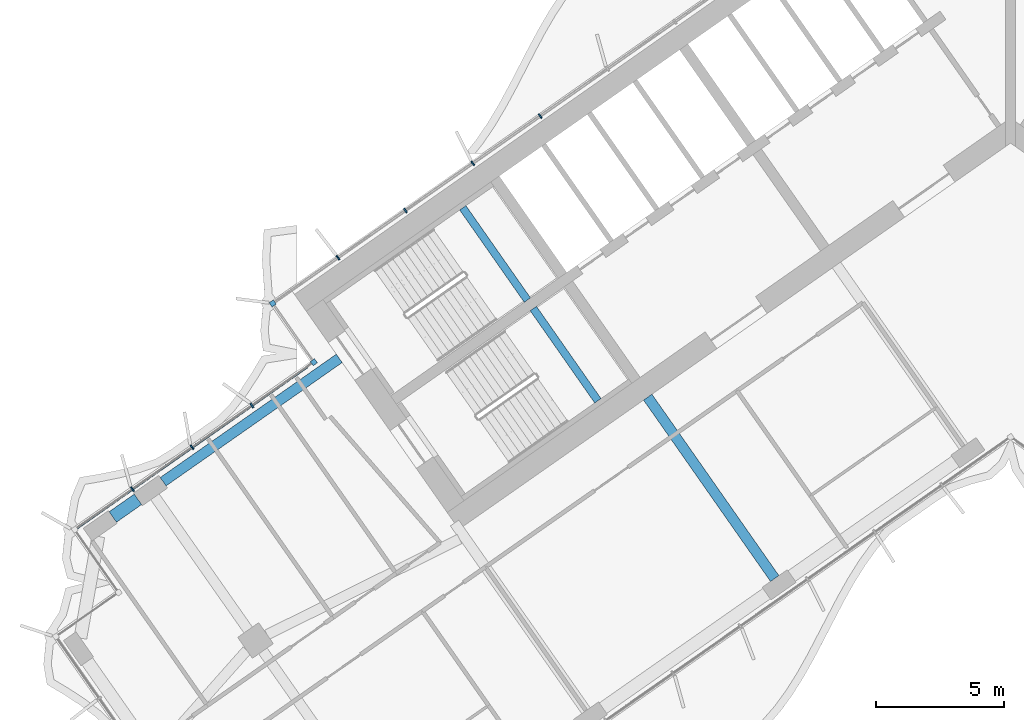
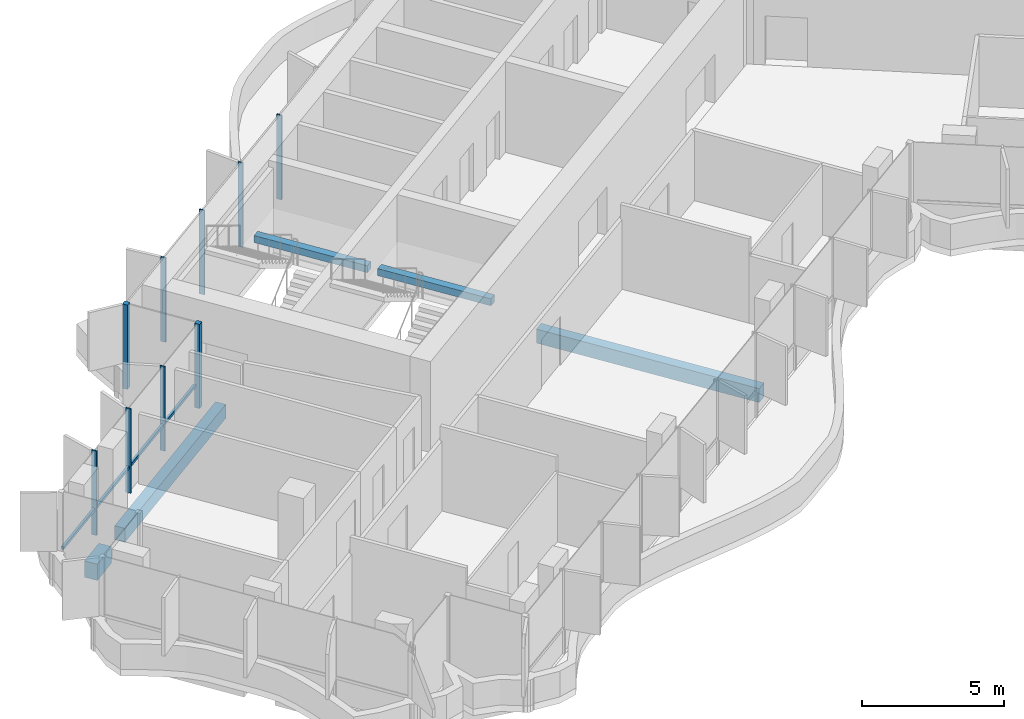
# One storey, part 4 of 23: 10 members, 5 beams, 2 elements without a shape of their own.
"""IFC4 building model written with IfcOpenShell, lengths in metres."""

from ifc_helpers import new_model, si_unit, direction, frame, origin, origin_2d, place, context, subcontext, project, spatial, rectangle, extrude, material, material_profile, profile_set, type_object, element, aggregate, save


model = new_model("IFC4")

# Units and contexts
model_context = context("Model", 3, precision=1e-05, world=origin(), true_north=direction((0.0, 1.0)))
body_context = subcontext(model_context, "Body", "Model", "MODEL_VIEW")
ifc_project = project(units=[si_unit("LENGTHUNIT", "METRE"), si_unit("AREAUNIT", "SQUARE_METRE"), si_unit("VOLUMEUNIT", "CUBIC_METRE"), si_unit("PLANEANGLEUNIT", "RADIAN"), si_unit("MASSUNIT", "GRAM", prefix="KILO")], contexts=[model_context])

# Site, building, storey
site_placement = place(None, origin())
site = spatial("IfcSite", under=ifc_project, at=site_placement, CompositionType="ELEMENT")
building_placement = place(site_placement, origin())
building = spatial("IfcBuilding", under=site, at=building_placement, Name="Tel Ilan Convention Tower", CompositionType="ELEMENT")
storey_placement = place(building_placement, frame((0.0, 0.0, 174.89990234375)))
storey = spatial("IfcBuildingStorey", under=building, at=storey_placement, Name="L40", CompositionType="ELEMENT", Elevation=174.89990234375)

# Beams
ifc_material_1 = material(Name="Concrete C40/50", Category="concrete")
ifc_material_profile_1 = material_profile(ifc_material_1, rectangle(XDim=0.39990234375, YDim=0.60009765625, at=origin_2d()), Name="RC 400x600")
ifc_profile_set_1 = profile_set([ifc_material_profile_1], Name="Concrete C40/50")
beam_type_1 = type_object("IfcBeamType", Name="Beam RC 400x600 Concrete C40/50", PredefinedType="BEAM", material=ifc_profile_set_1)
beam_1_placement = place(storey_placement, frame((-33.09912109375, -14.44775390625, -0.579833984375), z_axis=(0.819147254605, 0.573583276668, 0.0), x_axis=(-0.573583276668, 0.819147254605, 0.0)))
element("IfcBeam", 1, at=beam_1_placement, inside=storey, type_object=beam_type_1, Name="L40 beam W-W-B4-core", PredefinedType="BEAM", context=body_context, shape_type="SweptSolid", body=[
    extrude(rectangle(XDim=0.39990234375, YDim=0.60009765625, at=origin_2d()), origin(), (0.0, 0.0, 1.0), 8.400146484375),
])
beam_2_placement = place(storey_placement, frame((-9.209716796875, -18.229248046875, -0.579833984375), z_axis=(-0.573574099654, 0.819153680457, 0.0), x_axis=(-0.819153680457, -0.573574099654, 0.0)))
element("IfcBeam", 2, at=beam_2_placement, inside=storey, type_object=beam_type_1, Name="L40 beam W-W-F2-core", PredefinedType="BEAM", context=body_context, shape_type="SweptSolid", body=[
    extrude(rectangle(XDim=0.39990234375, YDim=0.60009765625, at=origin_2d()), origin(), (0.0, 0.0, 1.0), 8.64990234375),
])
ifc_material_2 = material(Name="Concrete C40/50", Category="concrete")
ifc_material_profile_2 = material_profile(ifc_material_2, rectangle(XDim=0.5, YDim=0.699951171875, at=origin_2d()), Name="RC 500x700")
ifc_profile_set_2 = profile_set([ifc_material_profile_2], Name="Concrete C40/50")
beam_type_2 = type_object("IfcBeamType", Name="Beam RC 500x700 Concrete C40/50", PredefinedType="BEAM", material=ifc_profile_set_2)
beam_3_placement = place(storey_placement, frame((-35.06494140625, -15.82421875, -0.6298828125), z_axis=(0.819155442668, 0.573571582932, 0.0), x_axis=(-0.573571582932, 0.819155442668, 0.0)))
element("IfcBeam", 3, at=beam_3_placement, inside=storey, type_object=beam_type_2, Name="L40 beam W-W-BC-W-B4", PredefinedType="BEAM", context=body_context, shape_type="SweptSolid", body=[
    extrude(rectangle(XDim=0.5, YDim=0.699951171875, at=origin_2d()), origin(), (0.0, 0.0, 1.0), 1.199951171875),
])

# Curtain wall, members
ifc_material_3 = material(Name="Aluminium, bronze anodised", Category="aluminium")
curtain_wall_type_1 = type_object("IfcCurtainWallType", Name="CW2 STICK CURTAIN WALL, SPANDREL PANELS", PredefinedType="NOTDEFINED", material=ifc_material_3)
curtain_wall_1_placement = place(storey_placement, origin())
curtain_wall_1 = element("IfcCurtainWall", 4, at=curtain_wall_1_placement, inside=storey, type_object=curtain_wall_type_1, Name="Curtain wall CW2-31.01", PredefinedType="NOTDEFINED")
ifc_material_4 = material(Name="Aluminium, bronze anodised", Category="aluminium")
ifc_material_profile_3 = material_profile(ifc_material_4, rectangle(XDim=0.199951171875, YDim=0.199951171875, at=origin_2d()), Name="CW CORNER MULLION 200x200")
ifc_profile_set_3 = profile_set([ifc_material_profile_3], Name="Aluminium, bronze anodised")
member_type_1 = type_object("IfcMemberType", Name="CW CORNER MULLION 200x200", PredefinedType="MULLION", material=ifc_profile_set_3)
member_1_placement = place(storey_placement, frame((-28.819580078125, -7.483642578125, 0.0), z_axis=(0.0, 0.0, 1.0), x_axis=(-0.819152044289, -0.573576436351, 0.0)))
member_1 = element("IfcMember", 5, at=member_1_placement, type_object=member_type_1, Name="Corner mullion", PredefinedType="MULLION", context=body_context, shape_type="SweptSolid", body=[
    extrude(rectangle(XDim=0.199951171875, YDim=0.199951171875, at=origin_2d()), origin(), (0.0, 0.0, 1.0), 3.6201171875),
])
member_2_placement = place(storey_placement, frame((-27.213623046875, -9.77734375, 0.0), z_axis=(0.0, 0.0, 1.0), x_axis=(0.573576436351, -0.819152044289, 0.0)))
member_2 = element("IfcMember", 6, at=member_2_placement, type_object=member_type_1, Name="Corner mullion", PredefinedType="MULLION", context=body_context, shape_type="SweptSolid", body=[
    extrude(rectangle(XDim=0.199951171875, YDim=0.199951171875, at=origin_2d()), origin(), (0.0, 0.0, 1.0), 3.6201171875),
])
ifc_material_5 = material(Name="Aluminium, bronze anodised", Category="aluminium")
ifc_material_profile_4 = material_profile(ifc_material_5, rectangle(XDim=0.06005859375, YDim=0.199951171875, at=origin_2d()), Name="CW MULLION 60x200")
ifc_profile_set_4 = profile_set([ifc_material_profile_4], Name="Aluminium, bronze anodised")
member_type_2 = type_object("IfcMemberType", Name="CW MULLION 60x200", PredefinedType="MULLION", material=ifc_profile_set_4)
member_3_placement = place(storey_placement, frame((-18.37109375, -0.16748046875, 0.0), z_axis=(0.0, 0.0, 1.0), x_axis=(-0.819152044289, -0.573576436351, 0.0)))
member_3 = element("IfcMember", 7, at=member_3_placement, type_object=member_type_2, Name="Mullion", PredefinedType="MULLION", context=body_context, shape_type="SweptSolid", body=[
    extrude(rectangle(XDim=0.06005859375, YDim=0.199951171875, at=origin_2d()), origin(), (0.0, 0.0, 1.0), 3.6201171875),
])
member_4_placement = place(storey_placement, frame((-21.003662109375, -2.0107421875, 0.0), z_axis=(0.0, 0.0, 1.0), x_axis=(-0.819152044289, -0.573576436351, 0.0)))
member_4 = element("IfcMember", 8, at=member_4_placement, type_object=member_type_2, Name="Mullion", PredefinedType="MULLION", context=body_context, shape_type="SweptSolid", body=[
    extrude(rectangle(XDim=0.06005859375, YDim=0.199951171875, at=origin_2d()), origin(), (0.0, 0.0, 1.0), 3.6201171875),
])
member_5_placement = place(storey_placement, frame((-23.63623046875, -3.854248046875, 0.0), z_axis=(0.0, 0.0, 1.0), x_axis=(-0.819152044289, -0.573576436351, 0.0)))
member_5 = element("IfcMember", 9, at=member_5_placement, type_object=member_type_2, Name="Mullion", PredefinedType="MULLION", context=body_context, shape_type="SweptSolid", body=[
    extrude(rectangle(XDim=0.06005859375, YDim=0.199951171875, at=origin_2d()), origin(), (0.0, 0.0, 1.0), 3.6201171875),
])
member_6_placement = place(storey_placement, frame((-26.268798828125, -5.697509765625, 0.0), z_axis=(0.0, 0.0, 1.0), x_axis=(-0.819152044289, -0.573576436351, 0.0)))
member_6 = element("IfcMember", 10, at=member_6_placement, type_object=member_type_2, Name="Mullion", PredefinedType="MULLION", context=body_context, shape_type="SweptSolid", body=[
    extrude(rectangle(XDim=0.06005859375, YDim=0.199951171875, at=origin_2d()), origin(), (0.0, 0.0, 1.0), 3.6201171875),
])
aggregate(curtain_wall_1, [member_3, member_4, member_5, member_6, member_1, member_2])

ifc_material_6 = material(Name="Aluminium, bronze anodised", Category="aluminium")
curtain_wall_type_2 = type_object("IfcCurtainWallType", Name="CW4 STICK CURTAIN WALL, OFFICE TINTED GLASS", PredefinedType="NOTDEFINED", material=ifc_material_6)
curtain_wall_2_placement = place(storey_placement, origin())
curtain_wall_2 = element("IfcCurtainWall", 11, at=curtain_wall_2_placement, inside=storey, type_object=curtain_wall_type_2, Name="Curtain wall CW4-31.02", PredefinedType="NOTDEFINED")
member_7_placement = place(storey_placement, frame((-29.630126953125, -11.46923828125, 0.0), z_axis=(0.0, 0.0, 1.0), x_axis=(-0.819152044289, -0.573576436351, 0.0)))
member_7 = element("IfcMember", 12, at=member_7_placement, type_object=member_type_2, Name="Mullion", PredefinedType="MULLION", context=body_context, shape_type="SweptSolid", body=[
    extrude(rectangle(XDim=0.06005859375, YDim=0.199951171875, at=origin_2d()), origin(), (0.0, 0.0, 1.0), 3.6201171875),
])
member_8_placement = place(storey_placement, frame((-31.964599609375, -13.10400390625, 0.0), z_axis=(0.0, 0.0, 1.0), x_axis=(-0.819152044289, -0.573576436351, 0.0)))
member_8 = element("IfcMember", 13, at=member_8_placement, type_object=member_type_2, Name="Mullion", PredefinedType="MULLION", context=body_context, shape_type="SweptSolid", body=[
    extrude(rectangle(XDim=0.06005859375, YDim=0.199951171875, at=origin_2d()), origin(), (0.0, 0.0, 1.0), 3.6201171875),
])
member_9_placement = place(storey_placement, frame((-34.299072265625, -14.73876953125, 0.0), z_axis=(0.0, 0.0, 1.0), x_axis=(-0.819152044289, -0.573576436351, 0.0)))
member_9 = element("IfcMember", 14, at=member_9_placement, type_object=member_type_2, Name="Mullion", PredefinedType="MULLION", context=body_context, shape_type="SweptSolid", body=[
    extrude(rectangle(XDim=0.06005859375, YDim=0.199951171875, at=origin_2d()), origin(), (0.0, 0.0, 1.0), 3.6201171875),
])
ifc_material_7 = material(Name="Aluminium, bronze anodised", Category="aluminium")
ifc_material_profile_5 = material_profile(ifc_material_7, rectangle(XDim=0.10009765625, YDim=0.1201171875, at=origin_2d()), Name="CW TRANSOM 100x120")
ifc_profile_set_5 = profile_set([ifc_material_profile_5], Name="Aluminium, bronze anodised")
member_type_3 = type_object("IfcMemberType", Name="CW TRANSOM 100x120", PredefinedType="USERDEFINED", material=ifc_profile_set_5)
member_10_placement = place(storey_placement, frame((-27.459228515625, -9.94921875, 1.10009765625), z_axis=(-0.819154753687, -0.57357256691, 0.0), x_axis=(0.57357256691, -0.819154753687, 0.0)))
member_10 = element("IfcMember", 15, at=member_10_placement, type_object=member_type_3, Name="Transom", ObjectType="TRANSOM", PredefinedType="USERDEFINED", context=body_context, shape_type="SweptSolid", body=[
    extrude(rectangle(XDim=0.10009765625, YDim=0.1201171875, at=origin_2d()), origin(), (0.0, 0.0, 1.0), 11.0),
])
aggregate(curtain_wall_2, [member_7, member_8, member_9, member_10])

# Beams
ifc_material_8 = material(Name="Concrete C40/50", Category="concrete")
ifc_material_profile_6 = material_profile(ifc_material_8, rectangle(XDim=0.300048828125, YDim=0.300048828125, at=origin_2d()), Name="RC 300x300")
ifc_profile_set_6 = profile_set([ifc_material_profile_6], Name="Concrete C40/50")
beam_type_3 = type_object("IfcBeamType", Name="Landing Beam RC 300x300 Concrete C40/50", PredefinedType="BEAM", material=ifc_profile_set_6)
beam_4_placement = place(storey_placement, frame((-18.870361328125, -7.353515625, 1.60009765625), z_axis=(-0.57354426506, 0.819174569928, 0.0), x_axis=(-0.819174569928, -0.57354426506, 0.0)))
element("IfcBeam", 16, at=beam_4_placement, inside=storey, type_object=beam_type_3, Name="S1 landing beam L40.1", PredefinedType="BEAM", context=body_context, shape_type="SweptSolid", body=[
    extrude(rectangle(XDim=0.300048828125, YDim=0.300048828125, at=origin_2d()), origin(), (0.0, 0.0, 1.0), 4.400146484375),
])
beam_5_placement = place(storey_placement, frame((-16.1171875, -11.285400390625, 1.60009765625), z_axis=(-0.573570334442, 0.819156316858, 0.0), x_axis=(-0.819156316858, -0.573570334442, 0.0)))
element("IfcBeam", 17, at=beam_5_placement, inside=storey, type_object=beam_type_3, Name="S2 landing beam L40.1", PredefinedType="BEAM", context=body_context, shape_type="SweptSolid", body=[
    extrude(rectangle(XDim=0.300048828125, YDim=0.300048828125, at=origin_2d()), origin(), (0.0, 0.0, 1.0), 4.39990234375),
])

save(model, "model.ifc")
